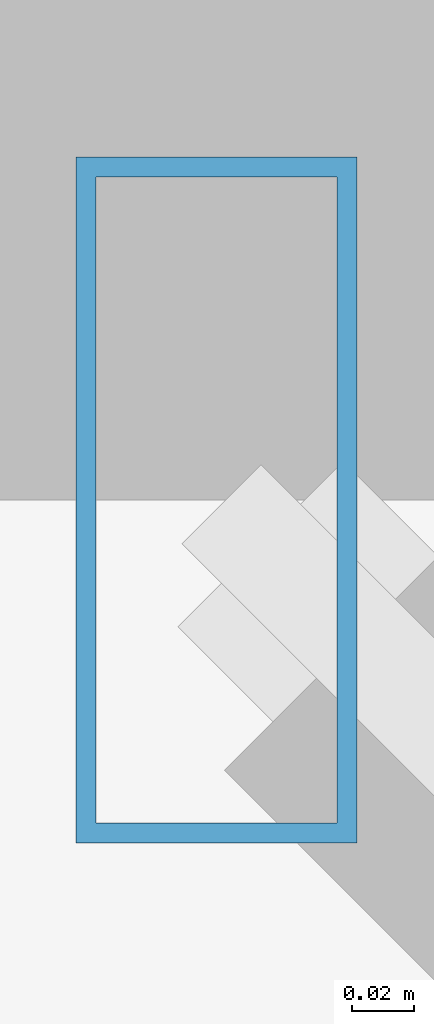
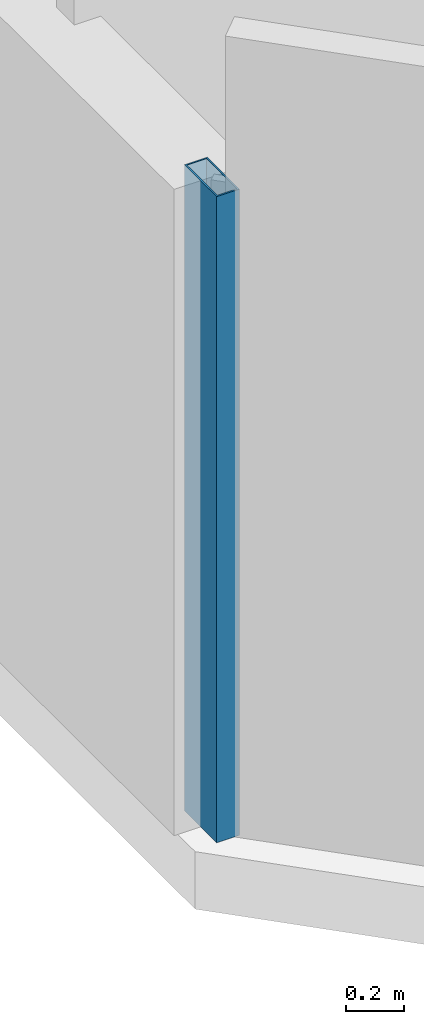
# One storey, part 6 of 35: 1 member, 1 element without a shape of its own.
"""IFC4 building model written with IfcOpenShell, lengths in metres."""

import ifcopenshell
import ifcopenshell.guid

model = None  # the IFC model being written
_history = None  # IfcOwnerHistory: only IFC2X3 demands one
_inside = {}  # id of a spatial element -> (the spatial element, [elements in it])
_under = {}  # id of a project, library or spatial element -> (it, [spatial elements below it])
_declared = {}  # id of a project -> (the project, [libraries it declares])
_typed = {}  # id of a type object -> (the type object, [elements of that type])
_made_of = {}  # id of a material, layer set ... -> (it, [elements and type objects made of it])


def new_model(schema):
    """Start an empty IFC model of exactly this schema.

    Asked for "IFC4X3", IfcOpenShell would pick the latest addendum, in which some entities
    have other attributes; the version numbers below select the first issue.
    IFC2X3 requires an IfcOwnerHistory on every rooted entity: one is made here for all.
    """
    global model, _history
    if schema == "IFC4X3":
        model = ifcopenshell.file(schema_version=(4, 3, 0, 0))
    else:
        model = ifcopenshell.file(schema=schema)
    _inside.clear()
    _under.clear()
    _declared.clear()
    _typed.clear()
    _made_of.clear()
    _history = None
    if model.schema == "IFC2X3":
        org = make("IfcOrganization", Name="unknown")
        user = make(
            "IfcPersonAndOrganization",
            ThePerson=make("IfcPerson", FamilyName="unknown"),
            TheOrganization=org,
        )
        app = make(
            "IfcApplication",
            ApplicationDeveloper=org,
            Version="unknown",
            ApplicationFullName="unknown",
            ApplicationIdentifier="unknown",
        )
        _history = make(
            "IfcOwnerHistory",
            OwningUser=user,
            OwningApplication=app,
            ChangeAction="ADDED",
            CreationDate=0,
        )
    return model


def make(cls, **values):
    """One entity of the class cls with the attributes given. An attribute that is None is left unset."""
    return model.create_entity(
        cls, **{name: value for name, value in values.items() if value is not None}
    )


def rooted(cls, **values):
    """An entity with a GlobalId (a new one), such as an element, a storey or a relation."""
    return make(cls, GlobalId=ifcopenshell.guid.new(), OwnerHistory=_history, **values)


def si_unit(unit_type, name, prefix=None):
    """IfcSIUnit, for example si_unit("LENGTHUNIT", "METRE", prefix="MILLI")."""
    return make("IfcSIUnit", UnitType=unit_type, Prefix=prefix, Name=name)


def assignment(units):
    """IfcUnitAssignment: the units of a project."""
    return None if units is None else make("IfcUnitAssignment", Units=units)


def point(xyz):
    """IfcCartesianPoint."""
    return None if xyz is None else make("IfcCartesianPoint", Coordinates=xyz)


def direction(xyz):
    """IfcDirection."""
    return None if xyz is None else make("IfcDirection", DirectionRatios=xyz)


def frame(location, z_axis=None, x_axis=None):
    """IfcAxis2Placement3D, a coordinate frame: its origin and axes. An axis left out is left unset."""
    return make(
        "IfcAxis2Placement3D",
        Location=point(location),
        Axis=direction(z_axis),
        RefDirection=direction(x_axis),
    )


def frame_2d(location, x_axis=None):
    """IfcAxis2Placement2D, a coordinate frame in the plane: its origin and x axis."""
    return make(
        "IfcAxis2Placement2D", Location=point(location), RefDirection=direction(x_axis)
    )


def origin():
    """The frame at (0, 0, 0) with its axes left unset."""
    return frame((0.0, 0.0, 0.0))


def origin_2d():
    """The frame at (0, 0) in the plane with its x axis left unset."""
    return frame_2d((0.0, 0.0))


def place(relative_to, where):
    """IfcLocalPlacement: puts the frame where relative to a parent placement (None: the world)."""
    return make(
        "IfcLocalPlacement", PlacementRelTo=relative_to, RelativePlacement=where
    )


def context(
    kind, dimensions, precision=None, world=None, true_north=None, identifier=None
):
    """IfcGeometricRepresentationContext, for example the 3D "Model" context."""
    return make(
        "IfcGeometricRepresentationContext",
        ContextIdentifier=identifier,
        ContextType=kind,
        CoordinateSpaceDimension=dimensions,
        Precision=precision,
        WorldCoordinateSystem=world,
        TrueNorth=true_north,
    )


def subcontext(parent, identifier, kind, view, scale=None):
    """IfcGeometricRepresentationSubContext, for example "Body" below "Model"."""
    return make(
        "IfcGeometricRepresentationSubContext",
        ContextIdentifier=identifier,
        ContextType=kind,
        ParentContext=parent,
        TargetScale=scale,
        TargetView=view,
    )


def project(units=None, contexts=None):
    """IfcProject with its units and contexts."""
    return rooted(
        "IfcProject",
        Name="project",
        RepresentationContexts=contexts,
        UnitsInContext=assignment(units),
    )


def spatial(cls, under=None, at=None, **own):
    """A site, building, storey or space (cls), placed at a placement, below another one or the project."""
    s = rooted(cls, ObjectPlacement=at, **own)
    if under is not None:
        _under.setdefault(under.id(), (under, []))[1].append(s)
    return s


def profile(cls, at=None, kind="AREA", **sizes):
    """A parametric profile (cls). Its sizes go by their IFC names, for example OverallWidth=200.0."""
    return make(cls, ProfileType=kind, Position=at, **sizes)


def hollow_rectangle(**sizes):
    """IfcRectangleHollowProfileDef."""
    return profile("IfcRectangleHollowProfileDef", **sizes)


def extrude(swept, where, along, depth):
    """IfcExtrudedAreaSolid: the profile swept, set in the frame where, extruded along a direction by depth."""
    return make(
        "IfcExtrudedAreaSolid",
        SweptArea=swept,
        Position=where,
        ExtrudedDirection=direction(along),
        Depth=depth,
    )


def shape(context_of_items, identifier, shape_type, items):
    """IfcShapeRepresentation: the items that make up one representation, for example the "Body"."""
    return make(
        "IfcShapeRepresentation",
        ContextOfItems=context_of_items,
        RepresentationIdentifier=identifier,
        RepresentationType=shape_type,
        Items=items,
    )


def material(Name=None, Category=None):
    """IfcMaterial."""
    return make("IfcMaterial", Name=Name, Category=Category)


def material_profile(
    of_material, cross_section, Name=None, Category=None, Priority=None
):
    """IfcMaterialProfile: a cross section and its material."""
    return make(
        "IfcMaterialProfile",
        Name=Name,
        Material=of_material,
        Profile=cross_section,
        Priority=Priority,
        Category=Category,
    )


def profile_set(profiles, Name=None, composite=None):
    """IfcMaterialProfileSet."""
    return make(
        "IfcMaterialProfileSet",
        Name=Name,
        MaterialProfiles=profiles,
        CompositeProfile=composite,
    )


def made_of(thing, what):
    """Note that an element or type object is made of a material, layer set ...; save() writes the relation."""
    if what is not None:
        _made_of.setdefault(what.id(), (what, []))[1].append(thing)
    return thing


def type_object(cls, material=None, **own):
    """A type object (cls), such as IfcWallType, which elements share."""
    return made_of(rooted(cls, **own), material)


def element(
    cls,
    number,
    at=None,
    inside=None,
    cuts=None,
    type_object=None,
    material=None,
    context=None,
    identifier="Body",
    shape_type=None,
    held_by="IfcProductDefinitionShape",
    body=None,
    shapes=None,
    **own,
):
    """One element of the class cls, such as IfcWall. Its Tag is "e" and its number.

    at: its placement. inside: the storey or other place that contains it. cuts: it is an
    opening in that element (IfcRelVoidsElement). A single representation is given by context,
    identifier, shape_type and body (its items); several are given by shapes. held_by: the class
    of the entity that holds the representations. save() writes the other relations.
    """
    e = rooted(cls, Tag="e%d" % number, ObjectPlacement=at, **own)
    if body is not None:
        shapes = [shape(context, identifier, shape_type, body)]
    if shapes is not None:
        e.Representation = make(held_by, Representations=shapes)
    if inside is not None:
        _inside.setdefault(inside.id(), (inside, []))[1].append(e)
    if cuts is not None:
        rooted(
            "IfcRelVoidsElement", RelatingBuildingElement=cuts, RelatedOpeningElement=e
        )
    if type_object is not None:
        _typed.setdefault(type_object.id(), (type_object, []))[1].append(e)
    return made_of(e, material)


def aggregate(whole, parts):
    """IfcRelAggregates: a whole, such as a stair, and the parts it consists of."""
    return rooted("IfcRelAggregates", RelatingObject=whole, RelatedObjects=parts)


def save(model, path):
    """Write the relations noted so far, then the file.

    IfcRelAggregates (storeys below a building ...), IfcRelContainedInSpatialStructure (elements
    in a storey), IfcRelDefinesByType, IfcRelAssociatesMaterial and IfcRelDeclares: one each for
    every whole, place, type object, material and project.
    """
    for whole, parts in _under.values():
        aggregate(whole, parts)
    for where, things in _inside.values():
        rooted(
            "IfcRelContainedInSpatialStructure",
            RelatedElements=things,
            RelatingStructure=where,
        )
    for kind, things in _typed.values():
        rooted("IfcRelDefinesByType", RelatedObjects=things, RelatingType=kind)
    for what, things in _made_of.values():
        rooted("IfcRelAssociatesMaterial", RelatedObjects=things, RelatingMaterial=what)
    for by, libraries in _declared.values():
        rooted("IfcRelDeclares", RelatingContext=by, RelatedDefinitions=libraries)
    model.write(path)


model = new_model("IFC4")

# Units and contexts
model_context = context("Model", 3, precision=1e-05, world=origin(), true_north=direction((0.0, 1.0)))
body_context = subcontext(model_context, "Body", "Model", "MODEL_VIEW")
ifc_project = project(units=[si_unit("LENGTHUNIT", "METRE"), si_unit("AREAUNIT", "SQUARE_METRE"), si_unit("VOLUMEUNIT", "CUBIC_METRE"), si_unit("PLANEANGLEUNIT", "RADIAN"), si_unit("MASSUNIT", "GRAM", prefix="KILO")], contexts=[model_context])

# Site, building, storey
site_placement = place(None, origin())
site = spatial("IfcSite", under=ifc_project, at=site_placement, CompositionType="ELEMENT")
building_placement = place(site_placement, origin())
building = spatial("IfcBuilding", under=site, at=building_placement, Name="Thornwick Lancets Civic Towers", CompositionType="ELEMENT")
storey_placement = place(building_placement, frame((0.0, 0.0, 64.5)))
storey = spatial("IfcBuildingStorey", under=building, at=storey_placement, Name="L16", CompositionType="ELEMENT", Elevation=64.5)

# Curtain wall, member
ifc_material_1 = material(Name="Low-zone chamfered-corner unitised glass curtain wall", Category="glass")
curtain_wall_type = type_object("IfcCurtainWallType", Name="CW_SYS_03", PredefinedType="NOTDEFINED", material=ifc_material_1)
curtain_wall_placement = place(storey_placement, origin())
curtain_wall = element("IfcCurtainWall", 1, at=curtain_wall_placement, inside=storey, type_object=curtain_wall_type, Name="L16 Curtain Wall CW-L16-B-E7", PredefinedType="NOTDEFINED")
ifc_material_2 = material(Name="Thermally broken bronze aluminium S355", Category="steel")
ifc_material_profile = material_profile(ifc_material_2, hollow_rectangle(XDim=0.090087890625, YDim=0.219970703125, WallThickness=0.00634765625, at=origin_2d()), Name="RHS 220x90x6.3")
ifc_profile_set = profile_set([ifc_material_profile], Name="Thermally broken bronze aluminium S355")
member_type = type_object("IfcMemberType", Name="CW_MUL_220", PredefinedType="MULLION", material=ifc_profile_set)
member_placement = place(storey_placement, frame((70.235107421875, 11.31884765625, 0.0), z_axis=(0.0, 0.0, 1.0), x_axis=(1.0, 0.0, 0.0)))
member = element("IfcMember", 2, at=member_placement, type_object=member_type, Name="CW-L16-B-E7 Mullion 0", PredefinedType="MULLION", context=body_context, shape_type="SweptSolid", body=[
    extrude(hollow_rectangle(XDim=0.090087890625, YDim=0.219970703125, WallThickness=0.00634765625, at=origin_2d()), origin(), (0.0, 0.0, 1.0), 2.699951171875),
])
aggregate(curtain_wall, [member])

save(model, "model.ifc")
